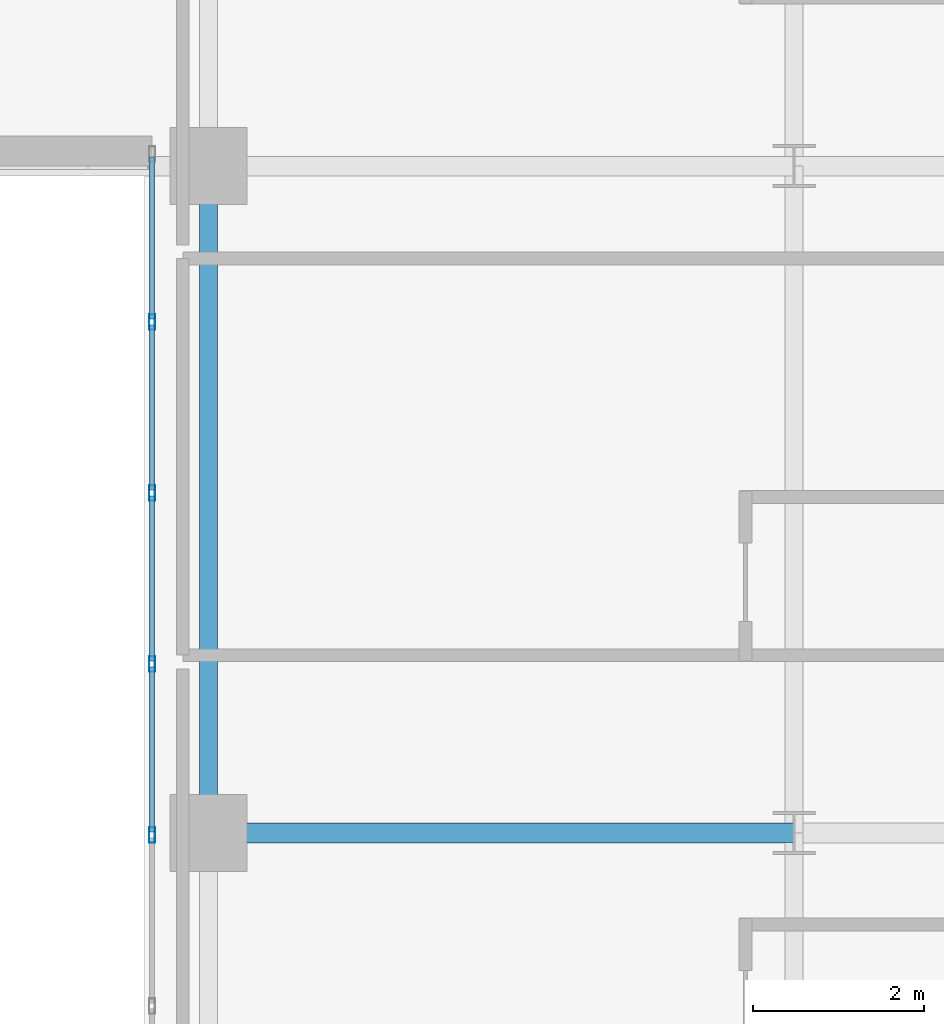
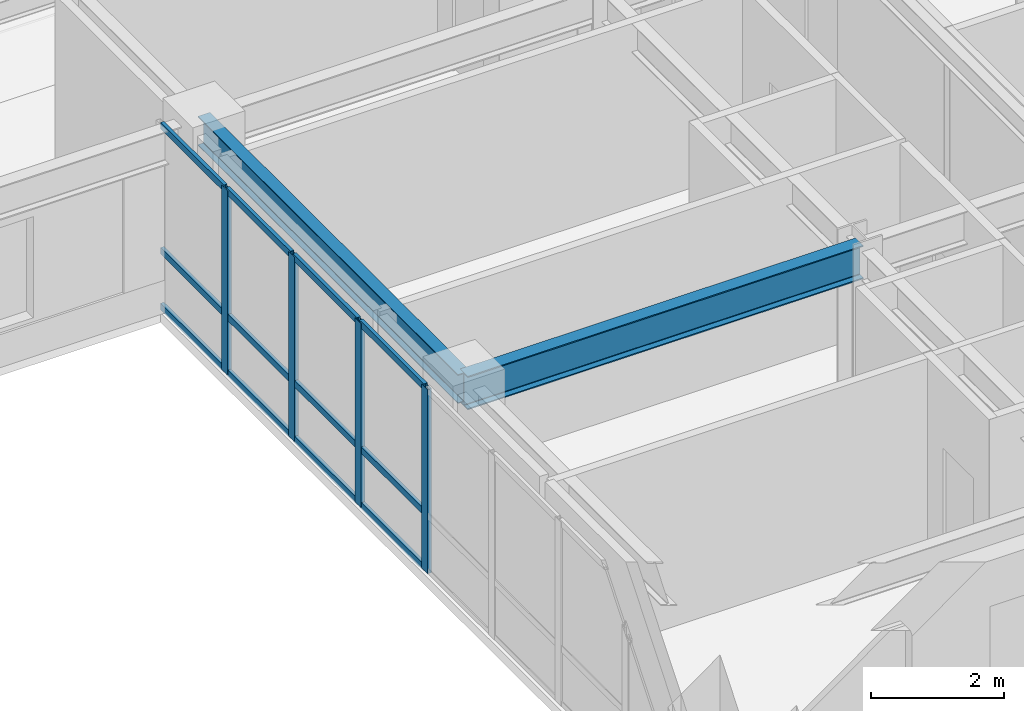
# One storey, part 9 of 24: 16 members, 2 beams, 1 element without a shape of its own.
"""IFC4 building model written with IfcOpenShell, lengths in metres."""

from ifc_helpers import new_model, si_unit, direction, frame, origin, origin_2d, place, context, subcontext, project, spatial, hollow_rectangle, i_section, extrude, source, transform, mapped, material, layer, layer_set, material_profile, profile_set, type_object, type_shapes, element, aggregate, save


model = new_model("IFC4")

# Units and contexts
model_context = context("Model", 3, precision=1e-05, world=origin(), true_north=direction((0.0, 1.0)))
body_context = subcontext(model_context, "Body", "Model", "MODEL_VIEW")
ifc_project = project(units=[si_unit("LENGTHUNIT", "METRE"), si_unit("AREAUNIT", "SQUARE_METRE"), si_unit("VOLUMEUNIT", "CUBIC_METRE"), si_unit("PLANEANGLEUNIT", "RADIAN"), si_unit("MASSUNIT", "GRAM", prefix="KILO")], contexts=[model_context])

# Site, building, storey
site_placement = place(None, origin())
site = spatial("IfcSite", under=ifc_project, at=site_placement, CompositionType="ELEMENT")
building_placement = place(site_placement, origin())
building = spatial("IfcBuilding", under=site, at=building_placement, Name="Tolvann Quenvar Hotel", CompositionType="ELEMENT")
storey_placement = place(building_placement, frame((0.0, 0.0, 81.699951171875)))
storey = spatial("IfcBuildingStorey", under=building, at=storey_placement, Name="L20", CompositionType="ELEMENT", Elevation=81.699951171875)

# Beams
ifc_material_1 = material(Name="Steel Grade 350", Category="steel")
ifc_material_profile_1 = material_profile(ifc_material_1, i_section(OverallWidth=0.22900390625, OverallDepth=0.612060546875, WebThickness=0.011962890625, FlangeThickness=0.01953125, FilletRadius=0.013916015625, at=origin_2d()), Name="610UB125")
ifc_profile_set_1 = profile_set([ifc_material_profile_1], Name="Steel Grade 350")
beam_type_1 = type_object("IfcBeamType", Name="BM_GIRD_610UB125", PredefinedType="BEAM", material=ifc_profile_set_1)
shared_shape_1 = source(origin(), body_context, "Body", "SweptSolid", [
    extrude(i_section(OverallWidth=0.22900390625, OverallDepth=0.612060546875, WebThickness=0.011962890625, FlangeThickness=0.01953125, FilletRadius=0.013916015625, at=origin_2d()), origin(), (0.0, 0.0, 1.0), 6.85009765625),
])
type_shapes(beam_type_1, [shared_shape_1])
beam_1_placement = place(storey_placement, frame((34.949951171875, 8.199951171875, 3.06396484375), z_axis=(1.0, 0.0, 0.0), x_axis=(0.0, 1.0, 0.0)))
element("IfcBeam", 1, at=beam_1_placement, inside=storey, type_object=beam_type_1, Name="BM-L20-EW-3-F3-H3", PredefinedType="BEAM", context=body_context, shape_type="MappedRepresentation", body=[
    mapped(shared_shape_1, transform((0.0, 0.0, 0.0), x_axis=(1.0, 0.0, 0.0), y_axis=(0.0, 1.0, 0.0), z_axis=(0.0, 0.0, 1.0), scale=1.0)),
])
ifc_material_profile_2 = material_profile(ifc_material_1, i_section(OverallWidth=0.208984375, OverallDepth=0.532958984375, WebThickness=0.01025390625, FlangeThickness=0.015625, FilletRadius=0.013916015625, at=origin_2d()), Name="530UB92")
ifc_profile_set_2 = profile_set([ifc_material_profile_2], Name="Steel Grade 350")
beam_type_2 = type_object("IfcBeamType", Name="BM_GIRD_530UB92", PredefinedType="BEAM", material=ifc_profile_set_2)
shared_shape_2 = source(origin(), body_context, "Body", "SweptSolid", [
    extrude(i_section(OverallWidth=0.208984375, OverallDepth=0.532958984375, WebThickness=0.01025390625, FlangeThickness=0.015625, FilletRadius=0.013916015625, at=origin_2d()), origin(), (0.0, 0.0, 1.0), 7.800048828125),
])
type_shapes(beam_type_2, [shared_shape_2])
beam_2_placement = place(storey_placement, frame((34.949951171875, 8.199951171875, 3.103515625), z_axis=(0.0, 1.0, 0.0), x_axis=(-1.0, 0.0, 0.0)))
element("IfcBeam", 2, at=beam_2_placement, inside=storey, type_object=beam_type_2, Name="BM-L20-NS-F3-F4", PredefinedType="BEAM", context=body_context, shape_type="MappedRepresentation", body=[
    mapped(shared_shape_2, transform((0.0, 0.0, 0.0), x_axis=(1.0, 0.0, 0.0), y_axis=(0.0, 1.0, 0.0), z_axis=(0.0, 0.0, 1.0), scale=1.0)),
])

# Curtain wall, members
ifc_material_2 = material(Name="Thermally broken anodised architectural aluminium 6063-T6 and laminated low-E glass", Category="aluminium")
ifc_layer = layer(ifc_material_2, 0.179931640625)
ifc_layer_set = layer_set([ifc_layer], Name="Thermally broken anodised architectural aluminium 6063-T6 and laminated low-E glass")
curtain_wall_type = type_object("IfcCurtainWallType", Name="CW_SYS_SLOT_03", PredefinedType="USERDEFINED", material=ifc_layer_set)
curtain_wall_placement = place(storey_placement, origin())
curtain_wall = element("IfcCurtainWall", 3, at=curtain_wall_placement, inside=storey, type_object=curtain_wall_type, Name="Curtain Wall CW-SLOT-03 (CWR-L20-E07)", ObjectType="UNITISED CURTAIN WALL", PredefinedType="USERDEFINED")
ifc_material_3 = material(Name="Anodised architectural aluminium 6063-T6 framing", Category="aluminium")
ifc_material_profile_3 = material_profile(ifc_material_3, hollow_rectangle(XDim=0.070068359375, YDim=0.179931640625, WallThickness=0.00390625, at=origin_2d()), Name="180x70x4RHS")
ifc_profile_set_3 = profile_set([ifc_material_profile_3], Name="Anodised architectural aluminium 6063-T6 framing")
member_type_1 = type_object("IfcMemberType", Name="CW_MULL_180x70", PredefinedType="MULLION", material=ifc_profile_set_3)
shared_shape_3 = source(origin(), body_context, "Body", "SweptSolid", [
    extrude(hollow_rectangle(XDim=0.070068359375, YDim=0.179931640625, WallThickness=0.00390625, at=origin_2d()), origin(), (0.0, 0.0, 1.0), 3.3701171875),
])
type_shapes(member_type_1, [shared_shape_3])
member_1_placement = place(storey_placement, frame((34.2900390625, 14.175048828125, 0.0), z_axis=(0.0, 0.0, 1.0), x_axis=(1.0, 0.0, 0.0)))
member_1 = element("IfcMember", 4, at=member_1_placement, type_object=member_type_1, Name="CW-SLOT-03 mullion 2", PredefinedType="MULLION", context=body_context, shape_type="MappedRepresentation", body=[
    mapped(shared_shape_3, transform((0.0, 0.0, 0.0), x_axis=(1.0, 0.0, 0.0), y_axis=(0.0, 1.0, 0.0), z_axis=(0.0, 0.0, 1.0), scale=1.0)),
])
member_2_placement = place(storey_placement, frame((34.2900390625, 12.175048828125, 0.0), z_axis=(0.0, 0.0, 1.0), x_axis=(1.0, 0.0, 0.0)))
member_2 = element("IfcMember", 5, at=member_2_placement, type_object=member_type_1, Name="CW-SLOT-03 mullion 3", PredefinedType="MULLION", context=body_context, shape_type="MappedRepresentation", body=[
    mapped(shared_shape_3, transform((0.0, 0.0, 0.0), x_axis=(1.0, 0.0, 0.0), y_axis=(0.0, 1.0, 0.0), z_axis=(0.0, 0.0, 1.0), scale=1.0)),
])
member_3_placement = place(storey_placement, frame((34.2900390625, 10.175048828125, 0.0), z_axis=(0.0, 0.0, 1.0), x_axis=(1.0, 0.0, 0.0)))
member_3 = element("IfcMember", 6, at=member_3_placement, type_object=member_type_1, Name="CW-SLOT-03 mullion 4", PredefinedType="MULLION", context=body_context, shape_type="MappedRepresentation", body=[
    mapped(shared_shape_3, transform((0.0, 0.0, 0.0), x_axis=(1.0, 0.0, 0.0), y_axis=(0.0, 1.0, 0.0), z_axis=(0.0, 0.0, 1.0), scale=1.0)),
])
member_4_placement = place(storey_placement, frame((34.2900390625, 8.175048828125, 0.0), z_axis=(0.0, 0.0, 1.0), x_axis=(1.0, 0.0, 0.0)))
member_4 = element("IfcMember", 7, at=member_4_placement, type_object=member_type_1, Name="CW-SLOT-03 mullion 5", PredefinedType="MULLION", context=body_context, shape_type="MappedRepresentation", body=[
    mapped(shared_shape_3, transform((0.0, 0.0, 0.0), x_axis=(1.0, 0.0, 0.0), y_axis=(0.0, 1.0, 0.0), z_axis=(0.0, 0.0, 1.0), scale=1.0)),
])
ifc_material_profile_4 = material_profile(ifc_material_3, hollow_rectangle(XDim=0.06005859375, YDim=0.1201171875, WallThickness=0.00341796875, at=origin_2d()), Name="120x60x3.5RHS")
ifc_profile_set_4 = profile_set([ifc_material_profile_4], Name="Anodised architectural aluminium 6063-T6 framing")
member_type_2 = type_object("IfcMemberType", Name="CW_TRAN_120x60", PredefinedType="USERDEFINED", material=ifc_profile_set_4)
shared_shape_4 = source(origin(), body_context, "Body", "SweptSolid", [
    extrude(hollow_rectangle(XDim=0.06005859375, YDim=0.1201171875, WallThickness=0.00341796875, at=origin_2d()), origin(), (0.0, 0.0, 1.0), 1.929931640625),
])
member_5_placement = place(storey_placement, frame((34.2900390625, 14.139892578125, 0.030029296875), z_axis=(0.0, -1.0, 0.0), x_axis=(1.0, 0.0, 0.0)))
member_5 = element("IfcMember", 8, at=member_5_placement, type_object=member_type_2, Name="CW-SLOT-03 transom 2.1", ObjectType="TRANSOM", PredefinedType="USERDEFINED", context=body_context, shape_type="MappedRepresentation", body=[
    mapped(shared_shape_4, transform((0.0, 0.0, 0.0), x_axis=(1.0, 0.0, 0.0), y_axis=(0.0, 1.0, 0.0), z_axis=(0.0, 0.0, 1.0), scale=1.0)),
])
member_6_placement = place(storey_placement, frame((34.2900390625, 14.139892578125, 1.050048828125), z_axis=(0.0, -1.0, 0.0), x_axis=(1.0, 0.0, 0.0)))
member_6 = element("IfcMember", 9, at=member_6_placement, type_object=member_type_2, Name="CW-SLOT-03 transom 2.2", ObjectType="TRANSOM", PredefinedType="USERDEFINED", context=body_context, shape_type="MappedRepresentation", body=[
    mapped(shared_shape_4, transform((0.0, 0.0, 0.0), x_axis=(1.0, 0.0, 0.0), y_axis=(0.0, 1.0, 0.0), z_axis=(0.0, 0.0, 1.0), scale=1.0)),
])
member_7_placement = place(storey_placement, frame((34.2900390625, 14.139892578125, 3.340087890625), z_axis=(0.0, -1.0, 0.0), x_axis=(1.0, 0.0, 0.0)))
member_7 = element("IfcMember", 10, at=member_7_placement, type_object=member_type_2, Name="CW-SLOT-03 transom 2.3", ObjectType="TRANSOM", PredefinedType="USERDEFINED", context=body_context, shape_type="MappedRepresentation", body=[
    mapped(shared_shape_4, transform((0.0, 0.0, 0.0), x_axis=(1.0, 0.0, 0.0), y_axis=(0.0, 1.0, 0.0), z_axis=(0.0, 0.0, 1.0), scale=1.0)),
])
member_8_placement = place(storey_placement, frame((34.2900390625, 12.139892578125, 0.030029296875), z_axis=(0.0, -1.0, 0.0), x_axis=(1.0, 0.0, 0.0)))
member_8 = element("IfcMember", 11, at=member_8_placement, type_object=member_type_2, Name="CW-SLOT-03 transom 3.1", ObjectType="TRANSOM", PredefinedType="USERDEFINED", context=body_context, shape_type="MappedRepresentation", body=[
    mapped(shared_shape_4, transform((0.0, 0.0, 0.0), x_axis=(1.0, 0.0, 0.0), y_axis=(0.0, 1.0, 0.0), z_axis=(0.0, 0.0, 1.0), scale=1.0)),
])
member_9_placement = place(storey_placement, frame((34.2900390625, 12.139892578125, 1.050048828125), z_axis=(0.0, -1.0, 0.0), x_axis=(1.0, 0.0, 0.0)))
member_9 = element("IfcMember", 12, at=member_9_placement, type_object=member_type_2, Name="CW-SLOT-03 transom 3.2", ObjectType="TRANSOM", PredefinedType="USERDEFINED", context=body_context, shape_type="MappedRepresentation", body=[
    mapped(shared_shape_4, transform((0.0, 0.0, 0.0), x_axis=(1.0, 0.0, 0.0), y_axis=(0.0, 1.0, 0.0), z_axis=(0.0, 0.0, 1.0), scale=1.0)),
])
member_10_placement = place(storey_placement, frame((34.2900390625, 12.139892578125, 3.340087890625), z_axis=(0.0, -1.0, 0.0), x_axis=(1.0, 0.0, 0.0)))
member_10 = element("IfcMember", 13, at=member_10_placement, type_object=member_type_2, Name="CW-SLOT-03 transom 3.3", ObjectType="TRANSOM", PredefinedType="USERDEFINED", context=body_context, shape_type="MappedRepresentation", body=[
    mapped(shared_shape_4, transform((0.0, 0.0, 0.0), x_axis=(1.0, 0.0, 0.0), y_axis=(0.0, 1.0, 0.0), z_axis=(0.0, 0.0, 1.0), scale=1.0)),
])
member_11_placement = place(storey_placement, frame((34.2900390625, 10.139892578125, 0.030029296875), z_axis=(0.0, -1.0, 0.0), x_axis=(1.0, 0.0, 0.0)))
member_11 = element("IfcMember", 14, at=member_11_placement, type_object=member_type_2, Name="CW-SLOT-03 transom 4.1", ObjectType="TRANSOM", PredefinedType="USERDEFINED", context=body_context, shape_type="MappedRepresentation", body=[
    mapped(shared_shape_4, transform((0.0, 0.0, 0.0), x_axis=(1.0, 0.0, 0.0), y_axis=(0.0, 1.0, 0.0), z_axis=(0.0, 0.0, 1.0), scale=1.0)),
])
member_12_placement = place(storey_placement, frame((34.2900390625, 10.139892578125, 1.050048828125), z_axis=(0.0, -1.0, 0.0), x_axis=(1.0, 0.0, 0.0)))
member_12 = element("IfcMember", 15, at=member_12_placement, type_object=member_type_2, Name="CW-SLOT-03 transom 4.2", ObjectType="TRANSOM", PredefinedType="USERDEFINED", context=body_context, shape_type="MappedRepresentation", body=[
    mapped(shared_shape_4, transform((0.0, 0.0, 0.0), x_axis=(1.0, 0.0, 0.0), y_axis=(0.0, 1.0, 0.0), z_axis=(0.0, 0.0, 1.0), scale=1.0)),
])
member_13_placement = place(storey_placement, frame((34.2900390625, 10.139892578125, 3.340087890625), z_axis=(0.0, -1.0, 0.0), x_axis=(1.0, 0.0, 0.0)))
member_13 = element("IfcMember", 16, at=member_13_placement, type_object=member_type_2, Name="CW-SLOT-03 transom 4.3", ObjectType="TRANSOM", PredefinedType="USERDEFINED", context=body_context, shape_type="MappedRepresentation", body=[
    mapped(shared_shape_4, transform((0.0, 0.0, 0.0), x_axis=(1.0, 0.0, 0.0), y_axis=(0.0, 1.0, 0.0), z_axis=(0.0, 0.0, 1.0), scale=1.0)),
])
shared_shape_5 = source(origin(), body_context, "Body", "SweptSolid", [
    extrude(hollow_rectangle(XDim=0.06005859375, YDim=0.1201171875, WallThickness=0.00341796875, at=origin_2d()), origin(), (0.0, 0.0, 1.0), 1.89501953125),
])
type_shapes(member_type_2, [shared_shape_4, shared_shape_5])
member_14_placement = place(storey_placement, frame((34.2900390625, 16.10498046875, 0.030029296875), z_axis=(0.0, -1.0, 0.0), x_axis=(1.0, 0.0, 0.0)))
member_14 = element("IfcMember", 17, at=member_14_placement, type_object=member_type_2, Name="CW-SLOT-03 transom 1.1", ObjectType="TRANSOM", PredefinedType="USERDEFINED", context=body_context, shape_type="MappedRepresentation", body=[
    mapped(shared_shape_5, transform((0.0, 0.0, 0.0), x_axis=(1.0, 0.0, 0.0), y_axis=(0.0, 1.0, 0.0), z_axis=(0.0, 0.0, 1.0), scale=1.0)),
])
member_15_placement = place(storey_placement, frame((34.2900390625, 16.10498046875, 1.050048828125), z_axis=(0.0, -1.0, 0.0), x_axis=(1.0, 0.0, 0.0)))
member_15 = element("IfcMember", 18, at=member_15_placement, type_object=member_type_2, Name="CW-SLOT-03 transom 1.2", ObjectType="TRANSOM", PredefinedType="USERDEFINED", context=body_context, shape_type="MappedRepresentation", body=[
    mapped(shared_shape_5, transform((0.0, 0.0, 0.0), x_axis=(1.0, 0.0, 0.0), y_axis=(0.0, 1.0, 0.0), z_axis=(0.0, 0.0, 1.0), scale=1.0)),
])
member_16_placement = place(storey_placement, frame((34.2900390625, 16.10498046875, 3.340087890625), z_axis=(0.0, -1.0, 0.0), x_axis=(1.0, 0.0, 0.0)))
member_16 = element("IfcMember", 19, at=member_16_placement, type_object=member_type_2, Name="CW-SLOT-03 transom 1.3", ObjectType="TRANSOM", PredefinedType="USERDEFINED", context=body_context, shape_type="MappedRepresentation", body=[
    mapped(shared_shape_5, transform((0.0, 0.0, 0.0), x_axis=(1.0, 0.0, 0.0), y_axis=(0.0, 1.0, 0.0), z_axis=(0.0, 0.0, 1.0), scale=1.0)),
])
aggregate(curtain_wall, [member_1, member_2, member_3, member_4, member_14, member_15, member_16, member_5, member_6, member_7, member_8, member_9, member_10, member_11, member_12, member_13])

save(model, "model.ifc")
